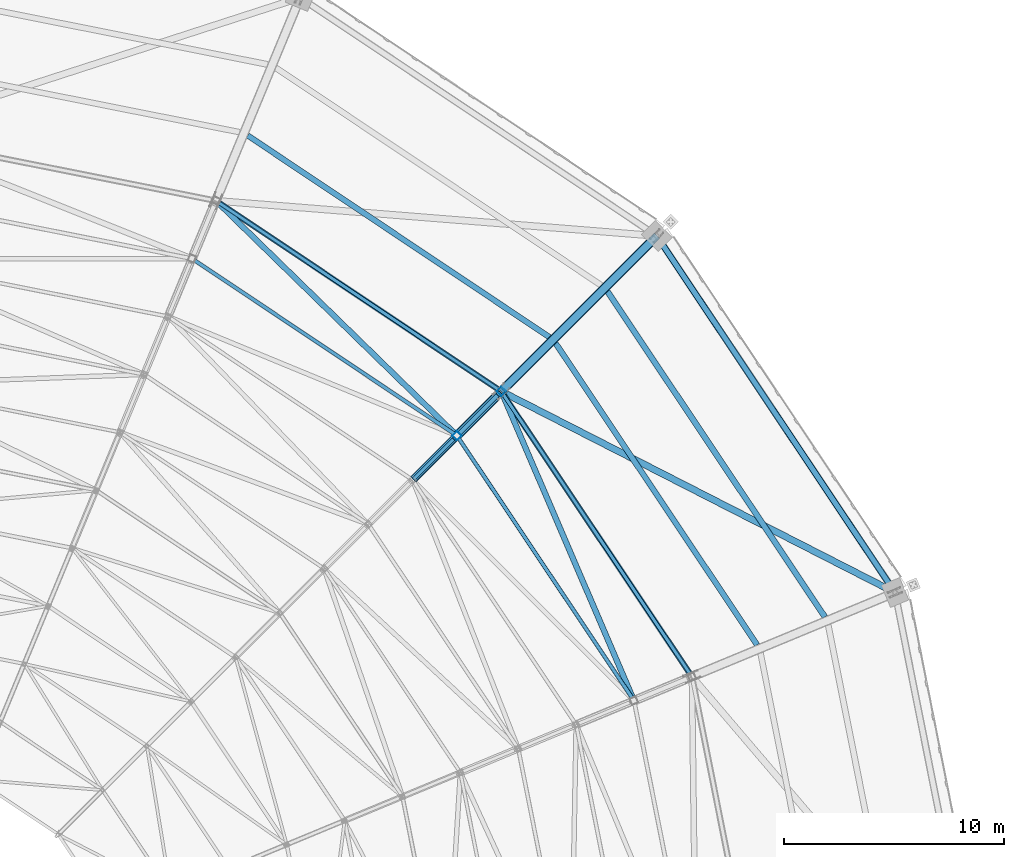
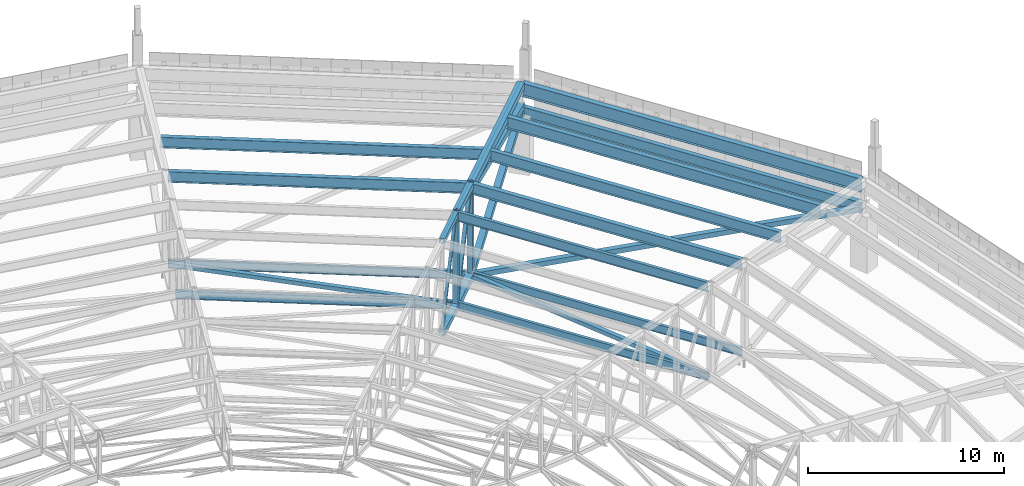
# One storey, part 103 of 278: 18 members, 8 beams.
"""IFC4 building model written with IfcOpenShell, lengths in metres."""

from ifc_helpers import new_model, si_unit, direction, frame, origin, origin_2d, place, context, subcontext, project, spatial, hollow_rectangle, i_section, extrude, material, material_profile, profile_set, type_object, element, save


model = new_model("IFC4")

# Units and contexts
model_context = context("Model", 3, precision=1e-05, world=origin(), true_north=direction((0.0, 1.0)))
body_context = subcontext(model_context, "Body", "Model", "MODEL_VIEW")
ifc_project = project(units=[si_unit("LENGTHUNIT", "METRE"), si_unit("AREAUNIT", "SQUARE_METRE"), si_unit("VOLUMEUNIT", "CUBIC_METRE"), si_unit("PLANEANGLEUNIT", "RADIAN"), si_unit("MASSUNIT", "GRAM", prefix="KILO")], contexts=[model_context])

# Site, building, storey
site_placement = place(None, origin())
site = spatial("IfcSite", under=ifc_project, at=site_placement, CompositionType="ELEMENT")
building_placement = place(site_placement, origin())
building = spatial("IfcBuilding", under=site, at=building_placement, Name="Ogive Plaza Stadium", CompositionType="ELEMENT")
storey_placement = place(building_placement, frame((0.0, 0.0, 29.0)))
storey = spatial("IfcBuildingStorey", under=building, at=storey_placement, Name="Roof", CompositionType="ELEMENT", Elevation=29.0)

# Members
ifc_material_1 = material(Name="Steel ASTM A500 Grade C", Category="steel")
ifc_material_profile_1 = material_profile(ifc_material_1, hollow_rectangle(XDim=0.25390625, YDim=0.25390625, WallThickness=0.0087890625, at=origin_2d()), Name="HSS10X10X3/8")
ifc_profile_set_1 = profile_set([ifc_material_profile_1], Name="Steel ASTM A500 Grade C")
member_type_1 = type_object("IfcMemberType", Name="Roof plan brace HSS10X10X3/8", PredefinedType="BRACE", material=ifc_profile_set_1)
member_1_placement = place(storey_placement, frame((60.18017578125, 78.855712890625, 0.266845703125), z_axis=(-0.716044061782, 0.698042453973, -0.004199290068), x_axis=(-0.698048608708, -0.71605037524, 0.0)))
element("IfcMember", 1, at=member_1_placement, inside=storey, type_object=member_type_1, Name="ROOF BRACE B38 10", PredefinedType="BRACE", context=body_context, shape_type="SweptSolid", body=[
    extrude(hollow_rectangle(XDim=0.25390625, YDim=0.25390625, WallThickness=0.0087890625, at=origin_2d()), origin(), (0.0, 0.0, 1.0), 14.999755859375),
])
member_2_placement = place(storey_placement, frame((68.273193359375, 66.83056640625, 0.266845703125), z_axis=(-0.394400964926, 0.918928857657, -0.004199217933), x_axis=(-0.918936959698, -0.394404442293, 0.0)))
element("IfcMember", 2, at=member_2_placement, inside=storey, type_object=member_type_1, Name="ROOF BRACE B39 10", PredefinedType="BRACE", context=body_context, shape_type="SweptSolid", body=[
    extrude(hollow_rectangle(XDim=0.25390625, YDim=0.25390625, WallThickness=0.0087890625, at=origin_2d()), origin(), (0.0, 0.0, 1.0), 15.0),
])
ifc_material_2 = material(Name="Steel ASTM A500 Grade C", Category="steel")
ifc_material_profile_2 = material_profile(ifc_material_2, hollow_rectangle(XDim=0.3046875, YDim=0.3046875, WallThickness=0.0087890625, at=origin_2d()), Name="HSS12X12X3/8")
ifc_profile_set_2 = profile_set([ifc_material_profile_2], Name="Steel ASTM A500 Grade C")
member_type_2 = type_object("IfcMemberType", Name="Roof plan brace HSS12X12X3/8", PredefinedType="BRACE", material=ifc_profile_set_2)
member_3_placement = place(storey_placement, frame((62.444091796875, 80.70263671875, 0.234130859375), z_axis=(0.877506938621, -0.448328226309, 0.170245041535), x_axis=(0.454969988029, 0.890506771447, 0.0)))
element("IfcMember", 3, at=member_3_placement, inside=storey, type_object=member_type_2, Name="ROOF BRACE B39 11", PredefinedType="BRACE", context=body_context, shape_type="SweptSolid", body=[
    extrude(hollow_rectangle(XDim=0.3046875, YDim=0.3046875, WallThickness=0.0087890625, at=origin_2d()), origin(), (0.0, 0.0, 1.0), 19.99072265625),
])
ifc_material_3 = material(Name="Steel ASTM A992 Grade 50", Category="steel")
ifc_material_profile_3 = material_profile(ifc_material_3, i_section(OverallWidth=0.1650390625, OverallDepth=0.524658203125, WebThickness=0.0087890625, FlangeThickness=0.011474609375, at=origin_2d()), Name="W21X44")
ifc_profile_set_3 = profile_set([ifc_material_profile_3], Name="Steel ASTM A992 Grade 50")
member_type_3 = type_object("IfcMemberType", Name="Roof plan strut W21X44", PredefinedType="STRUT", material=ifc_profile_set_3)
member_4_placement = place(storey_placement, frame((48.334716796875, 86.743408203125, 0.267333984375), z_axis=(0.831468390799, -0.555572061125, 0.0), x_axis=(0.555572061125, 0.831468390799, 0.0)))
element("IfcMember", 4, at=member_4_placement, inside=storey, type_object=member_type_3, Name="ROOF STRUT B38 9", PredefinedType="STRUT", context=body_context, shape_type="SweptSolid", body=[
    extrude(i_section(OverallWidth=0.1650390625, OverallDepth=0.524658203125, WebThickness=0.0087890625, FlangeThickness=0.011474609375, at=origin_2d()), origin(), (0.0, 0.0, 1.0), 14.21142578125),
])
member_5_placement = place(storey_placement, frame((49.42529296875, 89.37646484375, 0.203125), z_axis=(0.831464008334, -0.55557861986, 0.0), x_axis=(0.55557861986, 0.831464008334, 0.0)))
element("IfcMember", 5, at=member_5_placement, inside=storey, type_object=member_type_3, Name="ROOF STRUT B38 10", PredefinedType="STRUT", context=body_context, shape_type="SweptSolid", body=[
    extrude(i_section(OverallWidth=0.1650390625, OverallDepth=0.524658203125, WebThickness=0.0087890625, FlangeThickness=0.011474609375, at=origin_2d()), origin(), (0.0, 0.0, 1.0), 15.323486328125),
])
member_6_placement = place(storey_placement, frame((60.347900390625, 78.651123046875, 0.267333984375), z_axis=(0.555572061125, -0.831468390799, 0.0), x_axis=(0.831468390799, 0.555572061125, 0.0)))
element("IfcMember", 6, at=member_6_placement, inside=storey, type_object=member_type_3, Name="ROOF STRUT B39 9", PredefinedType="STRUT", context=body_context, shape_type="SweptSolid", body=[
    extrude(i_section(OverallWidth=0.1650390625, OverallDepth=0.524658203125, WebThickness=0.0087890625, FlangeThickness=0.011474609375, at=origin_2d()), origin(), (0.0, 0.0, 1.0), 14.21142578125),
])
member_7_placement = place(storey_placement, frame((62.363037109375, 80.666259765625, 0.203125), z_axis=(0.55557861986, -0.831464008334, 0.0), x_axis=(0.831464008334, 0.55557861986, 0.0)))
element("IfcMember", 7, at=member_7_placement, inside=storey, type_object=member_type_3, Name="ROOF STRUT B39 10", PredefinedType="STRUT", context=body_context, shape_type="SweptSolid", body=[
    extrude(i_section(OverallWidth=0.1650390625, OverallDepth=0.524658203125, WebThickness=0.0087890625, FlangeThickness=0.011474609375, at=origin_2d()), origin(), (0.0, 0.0, 1.0), 15.323486328125),
])
ifc_material_4 = material(Name="Steel ASTM A992 Grade 50", Category="steel")
ifc_material_profile_4 = material_profile(ifc_material_4, i_section(OverallWidth=0.2529296875, OverallDepth=0.678466796875, WebThickness=0.01171875, FlangeThickness=0.016357421875, at=origin_2d()), Name="W27X84")
ifc_profile_set_4 = profile_set([ifc_material_profile_4], Name="Steel ASTM A992 Grade 50")
member_type_4 = type_object("IfcMemberType", Name="Roof plan strut W27X84", PredefinedType="STRUT", material=ifc_profile_set_4)
member_8_placement = place(storey_placement, frame((69.41015625, 87.773193359375, 3.677734375), z_axis=(0.555575120146, -0.831466346809, 0.0), x_axis=(0.831466346809, 0.555575120146, 0.0)))
element("IfcMember", 8, at=member_8_placement, inside=storey, type_object=member_type_4, Name="ROOF STRUT B39 11", PredefinedType="STRUT", context=body_context, shape_type="SweptSolid", body=[
    extrude(i_section(OverallWidth=0.2529296875, OverallDepth=0.678466796875, WebThickness=0.01171875, FlangeThickness=0.016357421875, at=origin_2d()), origin(), (0.0, 0.0, 1.0), 19.3115234375),
])
ifc_material_5 = material(Name="Steel ASTM A992 Grade 50", Category="steel")
ifc_material_profile_5 = material_profile(ifc_material_5, i_section(OverallWidth=0.177978515625, OverallDepth=0.5986328125, WebThickness=0.010009765625, FlangeThickness=0.012939453125, at=origin_2d()), Name="W24X55")
ifc_profile_set_5 = profile_set([ifc_material_profile_5], Name="Steel ASTM A992 Grade 50")
member_type_5 = type_object("IfcMemberType", Name="Roof purlin W24X55", PredefinedType="PURLIN", material=ifc_profile_set_5)
member_9_placement = place(storey_placement, frame((60.348388671875, 78.650146484375, 5.84326171875), z_axis=(0.555576164606, -0.831465648913, 0.0), x_axis=(0.831465648913, 0.555576164606, 0.0)))
element("IfcMember", 9, at=member_9_placement, inside=storey, type_object=member_type_5, Name="ROOF PURLIN B39 9", PredefinedType="PURLIN", context=body_context, shape_type="SweptSolid", body=[
    extrude(i_section(OverallWidth=0.177978515625, OverallDepth=0.5986328125, WebThickness=0.010009765625, FlangeThickness=0.012939453125, at=origin_2d()), origin(), (0.0, 0.0, 1.0), 14.209228515625),
])
ifc_material_6 = material(Name="Steel ASTM A992 Grade 50", Category="steel")
ifc_material_profile_6 = material_profile(ifc_material_6, i_section(OverallWidth=0.2529296875, OverallDepth=0.678466796875, WebThickness=0.01171875, FlangeThickness=0.016357421875, at=origin_2d()), Name="W27X84")
ifc_profile_set_6 = profile_set([ifc_material_profile_6], Name="Steel ASTM A992 Grade 50")
member_type_6 = type_object("IfcMemberType", Name="Roof purlin W27X84", PredefinedType="PURLIN", material=ifc_profile_set_6)
member_10_placement = place(storey_placement, frame((49.4326171875, 89.37158203125, 5.660888671875), z_axis=(0.831468256832, -0.55557226162, 0.0), x_axis=(0.55557226162, 0.831468256832, 0.0)))
element("IfcMember", 10, at=member_10_placement, inside=storey, type_object=member_type_6, Name="ROOF PURLIN B38 10", PredefinedType="PURLIN", context=body_context, shape_type="SweptSolid", body=[
    extrude(i_section(OverallWidth=0.2529296875, OverallDepth=0.678466796875, WebThickness=0.01171875, FlangeThickness=0.016357421875, at=origin_2d()), origin(), (0.0, 0.0, 1.0), 15.30615234375),
])
member_11_placement = place(storey_placement, frame((50.751220703125, 92.42236328125, 5.494140625), z_axis=(0.831469477981, -0.555570434046, 0.0), x_axis=(0.555570434046, 0.831469477981, 0.0)))
element("IfcMember", 11, at=member_11_placement, inside=storey, type_object=member_type_6, Name="ROOF PURLIN B38 11", PredefinedType="PURLIN", context=body_context, shape_type="SweptSolid", body=[
    extrude(i_section(OverallWidth=0.2529296875, OverallDepth=0.678466796875, WebThickness=0.01171875, FlangeThickness=0.016357421875, at=origin_2d()), origin(), (0.0, 0.0, 1.0), 16.503173828125),
])
member_12_placement = place(storey_placement, frame((62.367919921875, 80.6591796875, 5.660888671875), z_axis=(0.55557226162, -0.831468256832, 0.0), x_axis=(0.831468256832, 0.55557226162, 0.0)))
element("IfcMember", 12, at=member_12_placement, inside=storey, type_object=member_type_6, Name="ROOF PURLIN B39 10", PredefinedType="PURLIN", context=body_context, shape_type="SweptSolid", body=[
    extrude(i_section(OverallWidth=0.2529296875, OverallDepth=0.678466796875, WebThickness=0.01171875, FlangeThickness=0.016357421875, at=origin_2d()), origin(), (0.0, 0.0, 1.0), 15.30615234375),
])
member_13_placement = place(storey_placement, frame((64.753662109375, 82.97314453125, 5.494140625), z_axis=(0.555570434046, -0.831469477981, 0.0), x_axis=(0.831469477981, 0.555570434046, 0.0)))
element("IfcMember", 13, at=member_13_placement, inside=storey, type_object=member_type_6, Name="ROOF PURLIN B39 11", PredefinedType="PURLIN", context=body_context, shape_type="SweptSolid", body=[
    extrude(i_section(OverallWidth=0.2529296875, OverallDepth=0.678466796875, WebThickness=0.01171875, FlangeThickness=0.016357421875, at=origin_2d()), origin(), (0.0, 0.0, 1.0), 16.503173828125),
])
ifc_material_7 = material(Name="Steel ASTM A992 Grade 50", Category="steel")
ifc_material_profile_7 = material_profile(ifc_material_7, i_section(OverallWidth=0.26416015625, OverallDepth=0.75, WebThickness=0.011962890625, FlangeThickness=0.015380859375, at=origin_2d()), Name="W30X90")
ifc_profile_set_7 = profile_set([ifc_material_profile_7], Name="Steel ASTM A992 Grade 50")
member_type_7 = type_object("IfcMemberType", Name="Roof purlin W30X90", PredefinedType="PURLIN", material=ifc_profile_set_7)
member_14_placement = place(storey_placement, frame((67.111328125, 85.3291015625, 5.291748046875), z_axis=(0.555579732472, -0.831463264893, 0.0), x_axis=(0.831463264893, 0.555579732472, 0.0)))
element("IfcMember", 14, at=member_14_placement, inside=storey, type_object=member_type_7, Name="ROOF PURLIN B39 12", PredefinedType="PURLIN", context=body_context, shape_type="SweptSolid", body=[
    extrude(i_section(OverallWidth=0.26416015625, OverallDepth=0.75, WebThickness=0.011962890625, FlangeThickness=0.015380859375, at=origin_2d()), origin(), (0.0, 0.0, 1.0), 17.801513671875),
])
ifc_material_8 = material(Name="Steel ASTM A992 Grade 50", Category="steel")
ifc_material_profile_8 = material_profile(ifc_material_8, i_section(OverallWidth=0.2919921875, OverallDepth=0.834716796875, WebThickness=0.013916015625, FlangeThickness=0.018798828125, at=origin_2d()), Name="W33X118")
ifc_profile_set_8 = profile_set([ifc_material_profile_8], Name="Steel ASTM A992 Grade 50")
member_type_8 = type_object("IfcMemberType", Name="Roof purlin W33X118", PredefinedType="PURLIN", material=ifc_profile_set_8)
member_15_placement = place(storey_placement, frame((69.412353515625, 87.77001953125, 5.082763671875), z_axis=(0.55556963677, -0.831470010703, 0.0), x_axis=(0.831470010703, 0.55556963677, 0.0)))
element("IfcMember", 15, at=member_15_placement, inside=storey, type_object=member_type_8, Name="ROOF PURLIN B39 13", PredefinedType="PURLIN", context=body_context, shape_type="SweptSolid", body=[
    extrude(i_section(OverallWidth=0.2919921875, OverallDepth=0.834716796875, WebThickness=0.013916015625, FlangeThickness=0.018798828125, at=origin_2d()), origin(), (0.0, 0.0, 1.0), 19.3037109375),
])

# Beams
ifc_material_9 = material(Name="Steel ASTM A500 Grade C", Category="steel")
ifc_material_profile_9 = material_profile(ifc_material_9, hollow_rectangle(XDim=0.355712890625, YDim=0.355712890625, WallThickness=0.0146484375, at=origin_2d()), Name="HSS14X14X5/8")
ifc_profile_set_9 = profile_set([ifc_material_profile_9], Name="Steel ASTM A500 Grade C")
beam_type_1 = type_object("IfcBeamType", Name="Roof truss back-span bottom chord HSS14X14X5/8", PredefinedType="BEAM", material=ifc_profile_set_9)
beam_1_placement = place(storey_placement, frame((62.319580078125, 80.819580078125, 0.205810546875), z_axis=(0.667408831989, 0.667408831989, 0.330349666211), x_axis=(-0.707106781187, 0.707106781187, 0.0)))
element("IfcBeam", 16, at=beam_1_placement, inside=storey, type_object=beam_type_1, Name="ROOF TRUSS T39 BOTTOM CHORD 11", PredefinedType="BEAM", context=body_context, shape_type="SweptSolid", body=[
    extrude(hollow_rectangle(XDim=0.355712890625, YDim=0.355712890625, WallThickness=0.0146484375, at=origin_2d()), origin(), (0.0, 0.0, 1.0), 10.4794921875),
])
ifc_material_10 = material(Name="Steel ASTM A500 Grade C", Category="steel")
ifc_material_profile_10 = material_profile(ifc_material_10, hollow_rectangle(XDim=0.406494140625, YDim=0.406494140625, WallThickness=0.01171875, at=origin_2d()), Name="HSS16X16X1/2")
ifc_profile_set_10 = profile_set([ifc_material_profile_10], Name="Steel ASTM A500 Grade C")
beam_type_2 = type_object("IfcBeamType", Name="Roof truss back-span top chord HSS16X16X1/2", PredefinedType="BEAM", material=ifc_profile_set_10)
beam_2_placement = place(storey_placement, frame((62.319580078125, 80.819580078125, 5.7939453125), z_axis=(0.706225036151, 0.706225036151, -0.049923908359), x_axis=(-0.707106781187, 0.707106781187, 0.0)))
element("IfcBeam", 17, at=beam_2_placement, inside=storey, type_object=beam_type_2, Name="ROOF TRUSS T39 TOP CHORD 11", PredefinedType="BEAM", context=body_context, shape_type="SweptSolid", body=[
    extrude(hollow_rectangle(XDim=0.406494140625, YDim=0.406494140625, WallThickness=0.01171875, at=origin_2d()), origin(), (0.0, 0.0, 1.0), 9.91259765625),
])

# Member
ifc_material_11 = material(Name="Steel ASTM A500 Grade C", Category="steel")
ifc_material_profile_11 = material_profile(ifc_material_11, hollow_rectangle(XDim=0.355712890625, YDim=0.355712890625, WallThickness=0.01171875, at=origin_2d()), Name="HSS14X14X1/2")
ifc_profile_set_11 = profile_set([ifc_material_profile_11], Name="Steel ASTM A500 Grade C")
member_type_9 = type_object("IfcMemberType", Name="Roof truss back-stay HSS14X14X1/2", PredefinedType="BRACE", material=ifc_profile_set_11)
member_16_placement = place(storey_placement, frame((62.331787109375, 80.831787109375, 5.456787109375), z_axis=(0.699520899886, 0.699520899886, -0.146085664062), x_axis=(-0.707106781187, 0.707106781187, 0.0)))
element("IfcMember", 18, at=member_16_placement, inside=storey, type_object=member_type_9, Name="BACK-STAY T39", PredefinedType="BRACE", context=body_context, shape_type="SweptSolid", body=[
    extrude(hollow_rectangle(XDim=0.355712890625, YDim=0.355712890625, WallThickness=0.01171875, at=origin_2d()), origin(), (0.0, 0.0, 1.0), 10.02392578125),
])

# Beams
ifc_material_12 = material(Name="Steel ASTM A500 Grade C", Category="steel")
ifc_material_profile_12 = material_profile(ifc_material_12, hollow_rectangle(XDim=0.355712890625, YDim=0.355712890625, WallThickness=0.0146484375, at=origin_2d()), Name="HSS14X14X5/8")
ifc_profile_set_12 = profile_set([ifc_material_profile_12], Name="Steel ASTM A500 Grade C")
beam_type_3 = type_object("IfcBeamType", Name="Roof truss bottom chord HSS14X14X5/8", PredefinedType="BEAM", material=ifc_profile_set_12)
beam_3_placement = place(storey_placement, frame((58.2890625, 76.7890625, 0.431884765625), z_axis=(0.705494369508, 0.705494369508, -0.067493623298), x_axis=(-0.707106781187, 0.707106781187, 0.0)))
element("IfcBeam", 19, at=beam_3_placement, inside=storey, type_object=beam_type_3, Name="ROOF TRUSS T39 BOTTOM CHORD 9", PredefinedType="BEAM", context=body_context, shape_type="SweptSolid", body=[
    extrude(hollow_rectangle(XDim=0.355712890625, YDim=0.355712890625, WallThickness=0.0146484375, at=origin_2d()), origin(), (0.0, 0.0, 1.0), 2.75634765625),
])
ifc_material_13 = material(Name="Steel ASTM A500 Grade C", Category="steel")
ifc_material_profile_13 = material_profile(ifc_material_13, hollow_rectangle(XDim=0.406494140625, YDim=0.406494140625, WallThickness=0.0146484375, at=origin_2d()), Name="HSS16X16X5/8")
ifc_profile_set_13 = profile_set([ifc_material_profile_13], Name="Steel ASTM A500 Grade C")
beam_type_4 = type_object("IfcBeamType", Name="Roof truss bottom chord HSS16X16X5/8", PredefinedType="BEAM", material=ifc_profile_set_13)
beam_4_placement = place(storey_placement, frame((60.304443359375, 78.804443359375, 0.266357421875), z_axis=(0.706927078197, 0.706927078197, -0.02254356282), x_axis=(-0.707106781187, 0.707106781187, 0.0)))
element("IfcBeam", 20, at=beam_4_placement, inside=storey, type_object=beam_type_4, Name="ROOF TRUSS T39 BOTTOM CHORD 10", PredefinedType="BEAM", context=body_context, shape_type="SweptSolid", body=[
    extrude(hollow_rectangle(XDim=0.406494140625, YDim=0.406494140625, WallThickness=0.0146484375, at=origin_2d()), origin(), (0.0, 0.0, 1.0), 2.750732421875),
])

# Members
ifc_material_14 = material(Name="Steel ASTM A500 Grade C", Category="steel")
ifc_material_profile_14 = material_profile(ifc_material_14, hollow_rectangle(XDim=0.15234375, YDim=0.15234375, WallThickness=0.0087890625, at=origin_2d()), Name="HSS6X6X3/8")
ifc_profile_set_14 = profile_set([ifc_material_profile_14], Name="Steel ASTM A500 Grade C")
member_type_10 = type_object("IfcMemberType", Name="Roof truss diagonal HSS6X6X3/8", PredefinedType="BRACE", material=ifc_profile_set_14)
member_17_placement = place(storey_placement, frame((58.343505859375, 76.843505859375, 0.612548828125), z_axis=(0.312137612277, 0.312137612277, 0.897296061511), x_axis=(-0.707106781187, 0.707106781187, 0.0)))
element("IfcMember", 21, at=member_17_placement, inside=storey, type_object=member_type_10, Name="ROOF TRUSS T39 DIAGONAL 9", PredefinedType="BRACE", context=body_context, shape_type="SweptSolid", body=[
    extrude(hollow_rectangle(XDim=0.15234375, YDim=0.15234375, WallThickness=0.0087890625, at=origin_2d()), origin(), (0.0, 0.0, 1.0), 5.8232421875),
])
ifc_material_15 = material(Name="Steel ASTM A500 Grade C", Category="steel")
ifc_material_profile_15 = material_profile(ifc_material_15, hollow_rectangle(XDim=0.203125, YDim=0.203125, WallThickness=0.0087890625, at=origin_2d()), Name="HSS8X8X3/8")
ifc_profile_set_15 = profile_set([ifc_material_profile_15], Name="Steel ASTM A500 Grade C")
member_type_11 = type_object("IfcMemberType", Name="Roof truss diagonal HSS8X8X3/8", PredefinedType="BRACE", material=ifc_profile_set_15)
member_18_placement = place(storey_placement, frame((60.376708984375, 78.876708984375, 0.470703125), z_axis=(0.31215123017, 0.31215123017, 0.897286586887), x_axis=(-0.707106781187, 0.707106781187, 0.0)))
element("IfcMember", 22, at=member_18_placement, inside=storey, type_object=member_type_11, Name="ROOF TRUSS T39 DIAGONAL 10", PredefinedType="BRACE", context=body_context, shape_type="SweptSolid", body=[
    extrude(hollow_rectangle(XDim=0.203125, YDim=0.203125, WallThickness=0.0087890625, at=origin_2d()), origin(), (0.0, 0.0, 1.0), 5.765869140625),
])

# Beams
ifc_material_16 = material(Name="Steel ASTM A500 Grade C", Category="steel")
ifc_material_profile_16 = material_profile(ifc_material_16, hollow_rectangle(XDim=0.3046875, YDim=0.3046875, WallThickness=0.01171875, at=origin_2d()), Name="HSS12X12X1/2")
ifc_profile_set_16 = profile_set([ifc_material_profile_16], Name="Steel ASTM A500 Grade C")
beam_type_5 = type_object("IfcBeamType", Name="Roof truss post HSS12X12X1/2", PredefinedType="BEAM", material=ifc_profile_set_16)
beam_5_placement = place(storey_placement, frame((60.26904296875, 78.76904296875, 0.064208984375), z_axis=(0.0, 0.0, 1.0), x_axis=(-0.707106781187, 0.707106781187, 0.0)))
element("IfcBeam", 23, at=beam_5_placement, inside=storey, type_object=beam_type_5, Name="ROOF TRUSS T39 POST 10", PredefinedType="BEAM", context=body_context, shape_type="SweptSolid", body=[
    extrude(hollow_rectangle(XDim=0.3046875, YDim=0.3046875, WallThickness=0.01171875, at=origin_2d()), origin(), (0.0, 0.0, 1.0), 6.078369140625),
])
beam_6_placement = place(storey_placement, frame((62.2841796875, 80.7841796875, -0.06005859375), z_axis=(0.0, 0.0, 1.0), x_axis=(-0.707106781187, 0.707106781187, 0.0)))
element("IfcBeam", 24, at=beam_6_placement, inside=storey, type_object=beam_type_5, Name="ROOF TRUSS T39 POST 11", PredefinedType="BEAM", context=body_context, shape_type="SweptSolid", body=[
    extrude(hollow_rectangle(XDim=0.3046875, YDim=0.3046875, WallThickness=0.01171875, at=origin_2d()), origin(), (0.0, 0.0, 1.0), 6.06005859375),
])
ifc_material_17 = material(Name="Steel ASTM A500 Grade C", Category="steel")
ifc_material_profile_17 = material_profile(ifc_material_17, hollow_rectangle(XDim=0.3046875, YDim=0.3046875, WallThickness=0.01171875, at=origin_2d()), Name="HSS12X12X1/2")
ifc_profile_set_17 = profile_set([ifc_material_profile_17], Name="Steel ASTM A500 Grade C")
beam_type_6 = type_object("IfcBeamType", Name="Roof truss top chord HSS12X12X1/2", PredefinedType="BEAM", material=ifc_profile_set_17)
beam_7_placement = place(storey_placement, frame((58.2890625, 76.7890625, 6.1298828125), z_axis=(0.706225209818, 0.706225209818, -0.049918994743), x_axis=(-0.707106781187, 0.707106781187, 0.0)))
element("IfcBeam", 25, at=beam_7_placement, inside=storey, type_object=beam_type_6, Name="ROOF TRUSS T39 TOP CHORD 9", PredefinedType="BEAM", context=body_context, shape_type="SweptSolid", body=[
    extrude(hollow_rectangle(XDim=0.3046875, YDim=0.3046875, WallThickness=0.01171875, at=origin_2d()), origin(), (0.0, 0.0, 1.0), 2.75341796875),
])
ifc_material_18 = material(Name="Steel ASTM A500 Grade C", Category="steel")
ifc_material_profile_18 = material_profile(ifc_material_18, hollow_rectangle(XDim=0.355712890625, YDim=0.355712890625, WallThickness=0.01171875, at=origin_2d()), Name="HSS14X14X1/2")
ifc_profile_set_18 = profile_set([ifc_material_profile_18], Name="Steel ASTM A500 Grade C")
beam_type_7 = type_object("IfcBeamType", Name="Roof truss top chord HSS14X14X1/2", PredefinedType="BEAM", material=ifc_profile_set_18)
beam_8_placement = place(storey_placement, frame((60.304443359375, 78.804443359375, 5.9619140625), z_axis=(0.706225209818, 0.706225209818, -0.049918994743), x_axis=(-0.707106781187, 0.707106781187, 0.0)))
element("IfcBeam", 26, at=beam_8_placement, inside=storey, type_object=beam_type_7, Name="ROOF TRUSS T39 TOP CHORD 10", PredefinedType="BEAM", context=body_context, shape_type="SweptSolid", body=[
    extrude(hollow_rectangle(XDim=0.355712890625, YDim=0.355712890625, WallThickness=0.01171875, at=origin_2d()), origin(), (0.0, 0.0, 1.0), 2.75341796875),
])

save(model, "model.ifc")
